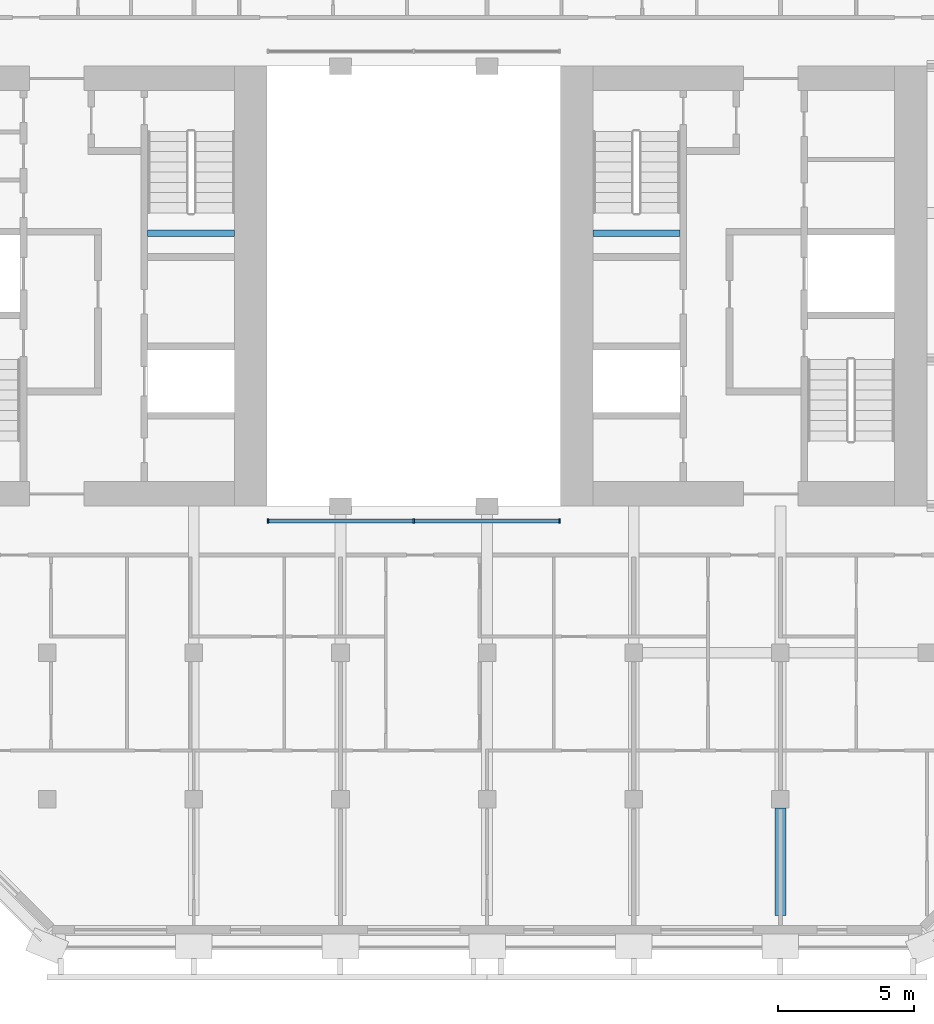
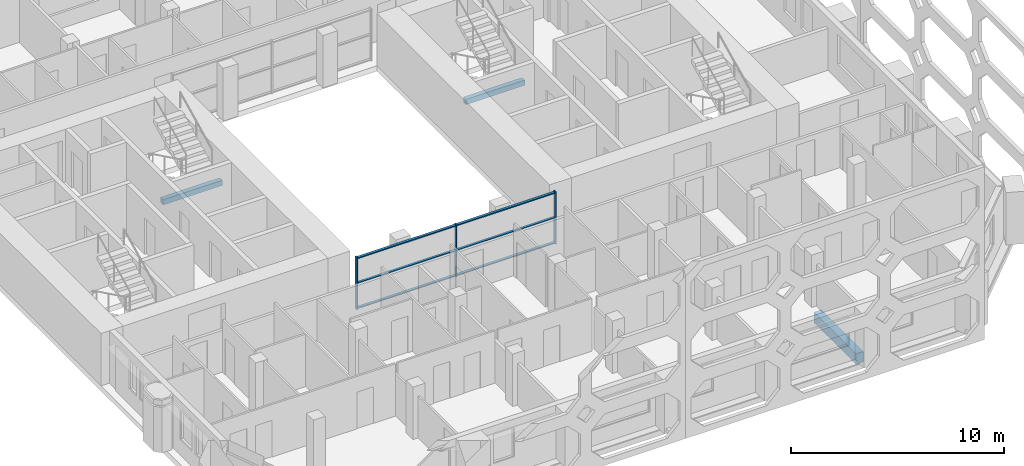
# One storey, part 2 of 15: 9 members, 3 beams, 1 element without a shape of its own.
"""IFC4 building model written with IfcOpenShell, lengths in metres."""

from ifc_helpers import new_model, si_unit, direction, frame, origin, origin_2d, place, context, subcontext, project, spatial, rectangle, extrude, material, material_profile, profile_set, type_object, element, aggregate, save


model = new_model("IFC4")

# Units and contexts
model_context = context("Model", 3, precision=1e-05, world=origin(), true_north=direction((0.0, 1.0)))
body_context = subcontext(model_context, "Body", "Model", "MODEL_VIEW")
ifc_project = project(units=[si_unit("LENGTHUNIT", "METRE"), si_unit("AREAUNIT", "SQUARE_METRE"), si_unit("VOLUMEUNIT", "CUBIC_METRE"), si_unit("PLANEANGLEUNIT", "RADIAN"), si_unit("MASSUNIT", "GRAM", prefix="KILO")], contexts=[model_context])

# Site, building, storey
site_placement = place(None, origin())
site = spatial("IfcSite", under=ifc_project, at=site_placement, CompositionType="ELEMENT")
building_placement = place(site_placement, origin())
building = spatial("IfcBuilding", under=site, at=building_placement, Name="Tabaq Tower and Sports Hall", CompositionType="ELEMENT")
storey_placement = place(building_placement, frame((0.0, 0.0, 278.5)))
storey = spatial("IfcBuildingStorey", under=building, at=storey_placement, Name="L68", CompositionType="ELEMENT", Elevation=278.5)

# Curtain wall, members
ifc_material_1 = material(Name="Aluminium alloy 6063-T6 framed glazing", Category="aluminium")
curtain_wall_type = type_object("IfcCurtainWallType", Name="CW1 curtain wall", PredefinedType="USERDEFINED", material=ifc_material_1)
curtain_wall_placement = place(storey_placement, origin())
curtain_wall = element("IfcCurtainWall", 1, at=curtain_wall_placement, inside=storey, type_object=curtain_wall_type, Name="Atrium glazing L68 S", ObjectType="ATRIUM ENCLOSURE", PredefinedType="USERDEFINED")
ifc_material_2 = material(Name="Aluminium alloy 6063-T6", Category="aluminium")
ifc_material_profile_1 = material_profile(ifc_material_2, rectangle(XDim=0.159912109375, YDim=0.06005859375, at=origin_2d()), Name="MULLION 160x60")
ifc_profile_set_1 = profile_set([ifc_material_profile_1], Name="Aluminium alloy 6063-T6")
member_type_1 = type_object("IfcMemberType", Name="CW1 mullion 160x60", PredefinedType="MULLION", material=ifc_profile_set_1)
member_1_placement = place(storey_placement, frame((18.929931640625, 15.64990234375, 0.0), z_axis=(0.0, 0.0, 1.0), x_axis=(0.0, 1.0, 0.0)))
member_1 = element("IfcMember", 2, at=member_1_placement, type_object=member_type_1, Name="CW1 mullion 1", PredefinedType="MULLION", context=body_context, shape_type="SweptSolid", body=[
    extrude(rectangle(XDim=0.159912109375, YDim=0.06005859375, at=origin_2d()), origin(), (0.0, 0.0, 1.0), 3.0),
])
member_2_placement = place(storey_placement, frame((24.300048828125, 15.64990234375, 0.0), z_axis=(0.0, 0.0, 1.0), x_axis=(0.0, 1.0, 0.0)))
member_2 = element("IfcMember", 3, at=member_2_placement, type_object=member_type_1, Name="CW1 mullion 2", PredefinedType="MULLION", context=body_context, shape_type="SweptSolid", body=[
    extrude(rectangle(XDim=0.159912109375, YDim=0.06005859375, at=origin_2d()), origin(), (0.0, 0.0, 1.0), 3.0),
])
member_3_placement = place(storey_placement, frame((29.669921875, 15.64990234375, 0.0), z_axis=(0.0, 0.0, 1.0), x_axis=(0.0, 1.0, 0.0)))
member_3 = element("IfcMember", 4, at=member_3_placement, type_object=member_type_1, Name="CW1 mullion 3", PredefinedType="MULLION", context=body_context, shape_type="SweptSolid", body=[
    extrude(rectangle(XDim=0.159912109375, YDim=0.06005859375, at=origin_2d()), origin(), (0.0, 0.0, 1.0), 3.0),
])
ifc_material_3 = material(Name="Aluminium alloy 6063-T6", Category="aluminium")
ifc_material_profile_2 = material_profile(ifc_material_3, rectangle(XDim=0.139892578125, YDim=0.06005859375, at=origin_2d()), Name="TRANSOM 140x60")
ifc_profile_set_2 = profile_set([ifc_material_profile_2], Name="Aluminium alloy 6063-T6")
member_type_2 = type_object("IfcMemberType", Name="CW1 transom 140x60", PredefinedType="USERDEFINED", material=ifc_profile_set_2)
member_4_placement = place(storey_placement, frame((18.9599609375, 15.64990234375, 0.070068359375), z_axis=(1.0, 0.0, 0.0), x_axis=(0.0, 1.0, 0.0)))
member_4 = element("IfcMember", 5, at=member_4_placement, type_object=member_type_2, Name="CW1 transom 1.1", ObjectType="TRANSOM", PredefinedType="USERDEFINED", context=body_context, shape_type="SweptSolid", body=[
    extrude(rectangle(XDim=0.139892578125, YDim=0.06005859375, at=origin_2d()), origin(), (0.0, 0.0, 1.0), 5.31005859375),
])
member_5_placement = place(storey_placement, frame((18.9599609375, 15.64990234375, 1.5), z_axis=(1.0, 0.0, 0.0), x_axis=(0.0, 1.0, 0.0)))
member_5 = element("IfcMember", 6, at=member_5_placement, type_object=member_type_2, Name="CW1 transom 1.2", ObjectType="TRANSOM", PredefinedType="USERDEFINED", context=body_context, shape_type="SweptSolid", body=[
    extrude(rectangle(XDim=0.139892578125, YDim=0.06005859375, at=origin_2d()), origin(), (0.0, 0.0, 1.0), 5.31005859375),
])
member_6_placement = place(storey_placement, frame((18.9599609375, 15.64990234375, 2.929931640625), z_axis=(1.0, 0.0, 0.0), x_axis=(0.0, 1.0, 0.0)))
member_6 = element("IfcMember", 7, at=member_6_placement, type_object=member_type_2, Name="CW1 transom 1.3", ObjectType="TRANSOM", PredefinedType="USERDEFINED", context=body_context, shape_type="SweptSolid", body=[
    extrude(rectangle(XDim=0.139892578125, YDim=0.06005859375, at=origin_2d()), origin(), (0.0, 0.0, 1.0), 5.31005859375),
])
member_7_placement = place(storey_placement, frame((24.330078125, 15.64990234375, 0.070068359375), z_axis=(1.0, 0.0, 0.0), x_axis=(0.0, 1.0, 0.0)))
member_7 = element("IfcMember", 8, at=member_7_placement, type_object=member_type_2, Name="CW1 transom 2.1", ObjectType="TRANSOM", PredefinedType="USERDEFINED", context=body_context, shape_type="SweptSolid", body=[
    extrude(rectangle(XDim=0.139892578125, YDim=0.06005859375, at=origin_2d()), origin(), (0.0, 0.0, 1.0), 5.309814453125),
])
member_8_placement = place(storey_placement, frame((24.330078125, 15.64990234375, 1.5), z_axis=(1.0, 0.0, 0.0), x_axis=(0.0, 1.0, 0.0)))
member_8 = element("IfcMember", 9, at=member_8_placement, type_object=member_type_2, Name="CW1 transom 2.2", ObjectType="TRANSOM", PredefinedType="USERDEFINED", context=body_context, shape_type="SweptSolid", body=[
    extrude(rectangle(XDim=0.139892578125, YDim=0.06005859375, at=origin_2d()), origin(), (0.0, 0.0, 1.0), 5.309814453125),
])
member_9_placement = place(storey_placement, frame((24.330078125, 15.64990234375, 2.929931640625), z_axis=(1.0, 0.0, 0.0), x_axis=(0.0, 1.0, 0.0)))
member_9 = element("IfcMember", 10, at=member_9_placement, type_object=member_type_2, Name="CW1 transom 2.3", ObjectType="TRANSOM", PredefinedType="USERDEFINED", context=body_context, shape_type="SweptSolid", body=[
    extrude(rectangle(XDim=0.139892578125, YDim=0.06005859375, at=origin_2d()), origin(), (0.0, 0.0, 1.0), 5.309814453125),
])
aggregate(curtain_wall, [member_1, member_2, member_3, member_4, member_5, member_6, member_7, member_8, member_9])

# Beams
ifc_material_4 = material(Name="Concrete C40/50", Category="concrete")
ifc_material_profile_3 = material_profile(ifc_material_4, rectangle(XDim=0.39990234375, YDim=0.60009765625, at=origin_2d()), Name="CB 400x600")
ifc_profile_set_3 = profile_set([ifc_material_profile_3], Name="Concrete C40/50")
beam_type_1 = type_object("IfcBeamType", Name="PT CANTILEVER BEAM CB 400x600 C40/50", PredefinedType="BEAM", material=ifc_profile_set_3)
beam_1_placement = place(storey_placement, frame((37.800048828125, 1.125, -0.60009765625), z_axis=(0.0, 1.0, 0.0), x_axis=(-1.0, 0.0, 0.0)))
element("IfcBeam", 11, at=beam_1_placement, inside=storey, type_object=beam_type_1, Name="Cantilever Beam L68 S7 span 1", PredefinedType="BEAM", context=body_context, shape_type="SweptSolid", body=[
    extrude(rectangle(XDim=0.39990234375, YDim=0.60009765625, at=origin_2d()), origin(), (0.0, 0.0, 1.0), 3.949951171875),
])
ifc_material_5 = material(Name="Concrete C40/50", Category="concrete")
ifc_material_profile_4 = material_profile(ifc_material_5, rectangle(XDim=0.25, YDim=0.300048828125, at=origin_2d()), Name="RC 250x300")
ifc_profile_set_4 = profile_set([ifc_material_profile_4], Name="Concrete C40/50")
beam_type_2 = type_object("IfcBeamType", Name="Stair landing beam 250x300", PredefinedType="BEAM", material=ifc_profile_set_4)
beam_2_placement = place(storey_placement, frame((14.5, 26.25, 1.300048828125), z_axis=(1.0, 0.0, 0.0), x_axis=(0.0, 1.0, 0.0)))
element("IfcBeam", 12, at=beam_2_placement, inside=storey, type_object=beam_type_2, Name="L68 ST2 landing beam 1", PredefinedType="BEAM", context=body_context, shape_type="SweptSolid", body=[
    extrude(rectangle(XDim=0.25, YDim=0.300048828125, at=origin_2d()), origin(), (0.0, 0.0, 1.0), 3.199951171875),
])
beam_3_placement = place(storey_placement, frame((30.89990234375, 26.25, 1.300048828125), z_axis=(1.0, 0.0, 0.0), x_axis=(0.0, 1.0, 0.0)))
element("IfcBeam", 13, at=beam_3_placement, inside=storey, type_object=beam_type_2, Name="L68 ST4 landing beam 1", PredefinedType="BEAM", context=body_context, shape_type="SweptSolid", body=[
    extrude(rectangle(XDim=0.25, YDim=0.300048828125, at=origin_2d()), origin(), (0.0, 0.0, 1.0), 3.2001953125),
])

save(model, "model.ifc")
